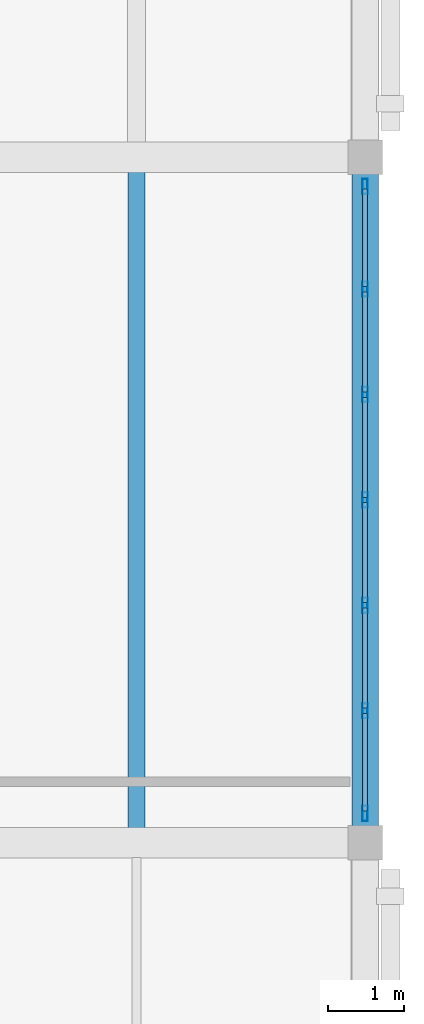
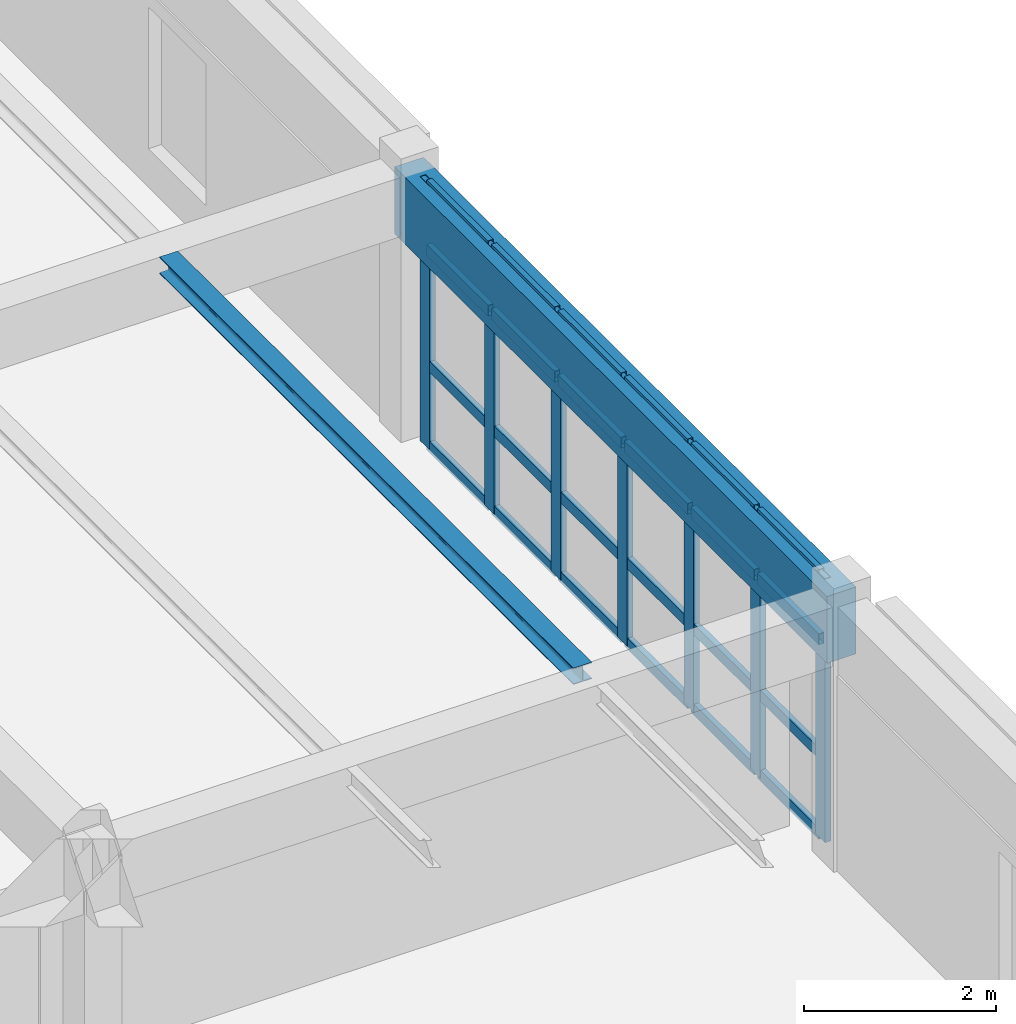
# One storey, part 45 of 80: 31 members, 2 beams, 1 element without a shape of its own.
"""IFC4 building model written with IfcOpenShell, lengths in metres."""

from ifc_helpers import new_model, si_unit, direction, frame, origin, origin_2d, place, context, subcontext, project, spatial, rectangle, hollow_rectangle, i_section, extrude, material, layer, layer_set, material_profile, profile_set, type_object, element, aggregate, save


model = new_model("IFC4")

# Units and contexts
model_context = context("Model", 3, precision=1e-05, world=origin(), true_north=direction((0.0, 1.0)))
body_context = subcontext(model_context, "Body", "Model", "MODEL_VIEW")
ifc_project = project(units=[si_unit("LENGTHUNIT", "METRE"), si_unit("AREAUNIT", "SQUARE_METRE"), si_unit("VOLUMEUNIT", "CUBIC_METRE"), si_unit("PLANEANGLEUNIT", "RADIAN"), si_unit("MASSUNIT", "GRAM", prefix="KILO")], contexts=[model_context])

# Site, building, storey
site_placement = place(None, origin())
site = spatial("IfcSite", under=ifc_project, at=site_placement, CompositionType="ELEMENT")
building_placement = place(site_placement, origin())
building = spatial("IfcBuilding", under=site, at=building_placement, Name="Ornek Quay Market", CompositionType="ELEMENT")
storey_placement = place(building_placement, frame((0.0, 0.0, 8.39990234375)))
storey = spatial("IfcBuildingStorey", under=building, at=storey_placement, Name="L02", CompositionType="ELEMENT", Elevation=8.39990234375)

# Beams
ifc_material_1 = material(Name="Concrete C40/50", Category="concrete")
ifc_material_profile_1 = material_profile(ifc_material_1, rectangle(XDim=0.35009765625, YDim=0.85009765625, at=origin_2d()), Name="RC 350x850", Category="concrete")
ifc_profile_set_1 = profile_set([ifc_material_profile_1], Name="Concrete C40/50")
beam_type_1 = type_object("IfcBeamType", Name="BM-SPN-350x850", PredefinedType="SPANDREL", material=ifc_profile_set_1)
beam_1_placement = place(storey_placement, frame((180.0, 47.0, 2.925048828125), z_axis=(0.0, 1.0, 0.0), x_axis=(-1.0, 0.0, 0.0)))
element("IfcBeam", 1, at=beam_1_placement, inside=storey, type_object=beam_type_1, Name="Primary beam B-SP1-159", PredefinedType="SPANDREL", context=body_context, shape_type="SweptSolid", body=[
    extrude(rectangle(XDim=0.35009765625, YDim=0.85009765625, at=origin_2d()), origin(), (0.0, 0.0, 1.0), 9.0),
])
ifc_material_2 = material(Name="Steel S355", Category="steel")
ifc_material_profile_2 = material_profile(ifc_material_2, i_section(OverallWidth=0.219970703125, OverallDepth=0.2099609375, WebThickness=0.007080078125, FlangeThickness=0.010986328125, FilletRadius=0.01806640625, at=origin_2d()), Name="HEA 220", Category="steel")
ifc_profile_set_2 = profile_set([ifc_material_profile_2], Name="Steel S355")
beam_type_2 = type_object("IfcBeamType", Name="BM-STL-HEA220", PredefinedType="BEAM", material=ifc_profile_set_2)
beam_2_placement = place(storey_placement, frame((177.0, 47.19189453125, 3.2451171875), z_axis=(0.0, 1.0, 0.0), x_axis=(-1.0, 0.0, 0.0)))
element("IfcBeam", 2, at=beam_2_placement, inside=storey, type_object=beam_type_2, Name="Secondary joist SB-13-038", PredefinedType="BEAM", context=body_context, shape_type="SweptSolid", body=[
    extrude(i_section(OverallWidth=0.219970703125, OverallDepth=0.2099609375, WebThickness=0.007080078125, FlangeThickness=0.010986328125, FilletRadius=0.01806640625, at=origin_2d()), origin(), (0.0, 0.0, 1.0), 8.6162109375),
])

# Curtain wall, members
ifc_material_3 = material(Name="Anodised bronze aluminium and triple low-e glass", Category="aluminium")
ifc_layer = layer(ifc_material_3, 0.18994140625, Name="Anodised bronze aluminium and triple low-e glass", Category="aluminium")
ifc_layer_set = layer_set([ifc_layer], Name="Anodised bronze aluminium and triple low-e glass")
curtain_wall_type = type_object("IfcCurtainWallType", Name="CW-FC-MOD1500", PredefinedType="USERDEFINED", material=ifc_layer_set)
curtain_wall_placement = place(storey_placement, origin())
curtain_wall = element("IfcCurtainWall", 3, at=curtain_wall_placement, inside=storey, type_object=curtain_wall_type, Name="Curtain wall CW-094", ObjectType="CURTAIN WALL", PredefinedType="USERDEFINED")
ifc_material_4 = material(Name="Anodised aluminium 6063-T6", Category="aluminium")
ifc_material_profile_3 = material_profile(ifc_material_4, hollow_rectangle(XDim=0.070068359375, YDim=0.199951171875, WallThickness=0.0048828125, at=origin_2d()), Name="CW-MUL-70x200", Category="aluminium")
ifc_profile_set_3 = profile_set([ifc_material_profile_3], Name="Anodised aluminium 6063-T6")
member_type_1 = type_object("IfcMemberType", Name="CW-MUL-70x200", PredefinedType="MULLION", material=ifc_profile_set_3)
member_1_placement = place(storey_placement, frame((180.0, 47.385009765625, 0.0), z_axis=(0.0, 0.0, 1.0), x_axis=(-1.0, 0.0, 0.0)))
member_1 = element("IfcMember", 4, at=member_1_placement, type_object=member_type_1, Name="CW-094 mullion 1", PredefinedType="MULLION", context=body_context, shape_type="SweptSolid", body=[
    extrude(hollow_rectangle(XDim=0.070068359375, YDim=0.199951171875, WallThickness=0.0048828125, at=origin_2d()), origin(), (0.0, 0.0, 1.0), 3.35009765625),
])
member_2_placement = place(storey_placement, frame((180.0, 48.7333984375, 0.0), z_axis=(0.0, 0.0, 1.0), x_axis=(-1.0, 0.0, 0.0)))
member_2 = element("IfcMember", 5, at=member_2_placement, type_object=member_type_1, Name="CW-094 mullion 2", PredefinedType="MULLION", context=body_context, shape_type="SweptSolid", body=[
    extrude(hollow_rectangle(XDim=0.070068359375, YDim=0.199951171875, WallThickness=0.0048828125, at=origin_2d()), origin(), (0.0, 0.0, 1.0), 3.35009765625),
])
member_3_placement = place(storey_placement, frame((180.0, 50.11669921875, 0.0), z_axis=(0.0, 0.0, 1.0), x_axis=(-1.0, 0.0, 0.0)))
member_3 = element("IfcMember", 6, at=member_3_placement, type_object=member_type_1, Name="CW-094 mullion 3", PredefinedType="MULLION", context=body_context, shape_type="SweptSolid", body=[
    extrude(hollow_rectangle(XDim=0.070068359375, YDim=0.199951171875, WallThickness=0.0048828125, at=origin_2d()), origin(), (0.0, 0.0, 1.0), 3.35009765625),
])
member_4_placement = place(storey_placement, frame((180.0, 51.5, 0.0), z_axis=(0.0, 0.0, 1.0), x_axis=(-1.0, 0.0, 0.0)))
member_4 = element("IfcMember", 7, at=member_4_placement, type_object=member_type_1, Name="CW-094 mullion 4", PredefinedType="MULLION", context=body_context, shape_type="SweptSolid", body=[
    extrude(hollow_rectangle(XDim=0.070068359375, YDim=0.199951171875, WallThickness=0.0048828125, at=origin_2d()), origin(), (0.0, 0.0, 1.0), 3.35009765625),
])
member_5_placement = place(storey_placement, frame((180.0, 52.88330078125, 0.0), z_axis=(0.0, 0.0, 1.0), x_axis=(-1.0, 0.0, 0.0)))
member_5 = element("IfcMember", 8, at=member_5_placement, type_object=member_type_1, Name="CW-094 mullion 5", PredefinedType="MULLION", context=body_context, shape_type="SweptSolid", body=[
    extrude(hollow_rectangle(XDim=0.070068359375, YDim=0.199951171875, WallThickness=0.0048828125, at=origin_2d()), origin(), (0.0, 0.0, 1.0), 3.35009765625),
])
member_6_placement = place(storey_placement, frame((180.0, 54.2666015625, 0.0), z_axis=(0.0, 0.0, 1.0), x_axis=(-1.0, 0.0, 0.0)))
member_6 = element("IfcMember", 9, at=member_6_placement, type_object=member_type_1, Name="CW-094 mullion 6", PredefinedType="MULLION", context=body_context, shape_type="SweptSolid", body=[
    extrude(hollow_rectangle(XDim=0.070068359375, YDim=0.199951171875, WallThickness=0.0048828125, at=origin_2d()), origin(), (0.0, 0.0, 1.0), 3.35009765625),
])
member_7_placement = place(storey_placement, frame((180.0, 55.614990234375, 0.0), z_axis=(0.0, 0.0, 1.0), x_axis=(-1.0, 0.0, 0.0)))
member_7 = element("IfcMember", 10, at=member_7_placement, type_object=member_type_1, Name="CW-094 mullion 7", PredefinedType="MULLION", context=body_context, shape_type="SweptSolid", body=[
    extrude(hollow_rectangle(XDim=0.070068359375, YDim=0.199951171875, WallThickness=0.0048828125, at=origin_2d()), origin(), (0.0, 0.0, 1.0), 3.35009765625),
])
ifc_material_profile_4 = material_profile(ifc_material_4, hollow_rectangle(XDim=0.06494140625, YDim=0.139892578125, WallThickness=0.00439453125, at=origin_2d()), Name="CW-TRN-65x140", Category="aluminium")
ifc_profile_set_4 = profile_set([ifc_material_profile_4], Name="Anodised aluminium 6063-T6")
member_type_2 = type_object("IfcMemberType", Name="CW-TRN-65x140", PredefinedType="USERDEFINED", material=ifc_profile_set_4)
member_8_placement = place(storey_placement, frame((180.0, 47.419921875, 0.03271484375), z_axis=(0.0, 1.0, 0.0), x_axis=(-1.0, 0.0, 0.0)))
member_8 = element("IfcMember", 11, at=member_8_placement, type_object=member_type_2, Name="CW-094 transom 1.1", ObjectType="TRANSOM", PredefinedType="USERDEFINED", context=body_context, shape_type="SweptSolid", body=[
    extrude(hollow_rectangle(XDim=0.06494140625, YDim=0.139892578125, WallThickness=0.00439453125, at=origin_2d()), origin(), (0.0, 0.0, 1.0), 1.2783203125),
])
member_9_placement = place(storey_placement, frame((180.0, 47.419921875, 1.050048828125), z_axis=(0.0, 1.0, 0.0), x_axis=(-1.0, 0.0, 0.0)))
member_9 = element("IfcMember", 12, at=member_9_placement, type_object=member_type_2, Name="CW-094 transom 1.2", ObjectType="TRANSOM", PredefinedType="USERDEFINED", context=body_context, shape_type="SweptSolid", body=[
    extrude(hollow_rectangle(XDim=0.06494140625, YDim=0.139892578125, WallThickness=0.00439453125, at=origin_2d()), origin(), (0.0, 0.0, 1.0), 1.2783203125),
])
member_10_placement = place(storey_placement, frame((180.0, 47.419921875, 2.5), z_axis=(0.0, 1.0, 0.0), x_axis=(-1.0, 0.0, 0.0)))
member_10 = element("IfcMember", 13, at=member_10_placement, type_object=member_type_2, Name="CW-094 transom 1.3", ObjectType="TRANSOM", PredefinedType="USERDEFINED", context=body_context, shape_type="SweptSolid", body=[
    extrude(hollow_rectangle(XDim=0.06494140625, YDim=0.139892578125, WallThickness=0.00439453125, at=origin_2d()), origin(), (0.0, 0.0, 1.0), 1.2783203125),
])
member_11_placement = place(storey_placement, frame((180.0, 47.419921875, 3.317626953125), z_axis=(0.0, 1.0, 0.0), x_axis=(-1.0, 0.0, 0.0)))
member_11 = element("IfcMember", 14, at=member_11_placement, type_object=member_type_2, Name="CW-094 transom 1.4", ObjectType="TRANSOM", PredefinedType="USERDEFINED", context=body_context, shape_type="SweptSolid", body=[
    extrude(hollow_rectangle(XDim=0.06494140625, YDim=0.139892578125, WallThickness=0.00439453125, at=origin_2d()), origin(), (0.0, 0.0, 1.0), 1.2783203125),
])
member_12_placement = place(storey_placement, frame((180.0, 48.768310546875, 0.03271484375), z_axis=(0.0, 1.0, 0.0), x_axis=(-1.0, 0.0, 0.0)))
member_12 = element("IfcMember", 15, at=member_12_placement, type_object=member_type_2, Name="CW-094 transom 2.1", ObjectType="TRANSOM", PredefinedType="USERDEFINED", context=body_context, shape_type="SweptSolid", body=[
    extrude(hollow_rectangle(XDim=0.06494140625, YDim=0.139892578125, WallThickness=0.00439453125, at=origin_2d()), origin(), (0.0, 0.0, 1.0), 1.3134765625),
])
member_13_placement = place(storey_placement, frame((180.0, 48.768310546875, 1.050048828125), z_axis=(0.0, 1.0, 0.0), x_axis=(-1.0, 0.0, 0.0)))
member_13 = element("IfcMember", 16, at=member_13_placement, type_object=member_type_2, Name="CW-094 transom 2.2", ObjectType="TRANSOM", PredefinedType="USERDEFINED", context=body_context, shape_type="SweptSolid", body=[
    extrude(hollow_rectangle(XDim=0.06494140625, YDim=0.139892578125, WallThickness=0.00439453125, at=origin_2d()), origin(), (0.0, 0.0, 1.0), 1.3134765625),
])
member_14_placement = place(storey_placement, frame((180.0, 48.768310546875, 2.5), z_axis=(0.0, 1.0, 0.0), x_axis=(-1.0, 0.0, 0.0)))
member_14 = element("IfcMember", 17, at=member_14_placement, type_object=member_type_2, Name="CW-094 transom 2.3", ObjectType="TRANSOM", PredefinedType="USERDEFINED", context=body_context, shape_type="SweptSolid", body=[
    extrude(hollow_rectangle(XDim=0.06494140625, YDim=0.139892578125, WallThickness=0.00439453125, at=origin_2d()), origin(), (0.0, 0.0, 1.0), 1.3134765625),
])
member_15_placement = place(storey_placement, frame((180.0, 48.768310546875, 3.317626953125), z_axis=(0.0, 1.0, 0.0), x_axis=(-1.0, 0.0, 0.0)))
member_15 = element("IfcMember", 18, at=member_15_placement, type_object=member_type_2, Name="CW-094 transom 2.4", ObjectType="TRANSOM", PredefinedType="USERDEFINED", context=body_context, shape_type="SweptSolid", body=[
    extrude(hollow_rectangle(XDim=0.06494140625, YDim=0.139892578125, WallThickness=0.00439453125, at=origin_2d()), origin(), (0.0, 0.0, 1.0), 1.3134765625),
])
member_16_placement = place(storey_placement, frame((180.0, 50.151611328125, 0.03271484375), z_axis=(0.0, 1.0, 0.0), x_axis=(-1.0, 0.0, 0.0)))
member_16 = element("IfcMember", 19, at=member_16_placement, type_object=member_type_2, Name="CW-094 transom 3.1", ObjectType="TRANSOM", PredefinedType="USERDEFINED", context=body_context, shape_type="SweptSolid", body=[
    extrude(hollow_rectangle(XDim=0.06494140625, YDim=0.139892578125, WallThickness=0.00439453125, at=origin_2d()), origin(), (0.0, 0.0, 1.0), 1.3134765625),
])
member_17_placement = place(storey_placement, frame((180.0, 50.151611328125, 1.050048828125), z_axis=(0.0, 1.0, 0.0), x_axis=(-1.0, 0.0, 0.0)))
member_17 = element("IfcMember", 20, at=member_17_placement, type_object=member_type_2, Name="CW-094 transom 3.2", ObjectType="TRANSOM", PredefinedType="USERDEFINED", context=body_context, shape_type="SweptSolid", body=[
    extrude(hollow_rectangle(XDim=0.06494140625, YDim=0.139892578125, WallThickness=0.00439453125, at=origin_2d()), origin(), (0.0, 0.0, 1.0), 1.3134765625),
])
member_18_placement = place(storey_placement, frame((180.0, 50.151611328125, 2.5), z_axis=(0.0, 1.0, 0.0), x_axis=(-1.0, 0.0, 0.0)))
member_18 = element("IfcMember", 21, at=member_18_placement, type_object=member_type_2, Name="CW-094 transom 3.3", ObjectType="TRANSOM", PredefinedType="USERDEFINED", context=body_context, shape_type="SweptSolid", body=[
    extrude(hollow_rectangle(XDim=0.06494140625, YDim=0.139892578125, WallThickness=0.00439453125, at=origin_2d()), origin(), (0.0, 0.0, 1.0), 1.3134765625),
])
member_19_placement = place(storey_placement, frame((180.0, 50.151611328125, 3.317626953125), z_axis=(0.0, 1.0, 0.0), x_axis=(-1.0, 0.0, 0.0)))
member_19 = element("IfcMember", 22, at=member_19_placement, type_object=member_type_2, Name="CW-094 transom 3.4", ObjectType="TRANSOM", PredefinedType="USERDEFINED", context=body_context, shape_type="SweptSolid", body=[
    extrude(hollow_rectangle(XDim=0.06494140625, YDim=0.139892578125, WallThickness=0.00439453125, at=origin_2d()), origin(), (0.0, 0.0, 1.0), 1.3134765625),
])
member_20_placement = place(storey_placement, frame((180.0, 51.534912109375, 0.03271484375), z_axis=(0.0, 1.0, 0.0), x_axis=(-1.0, 0.0, 0.0)))
member_20 = element("IfcMember", 23, at=member_20_placement, type_object=member_type_2, Name="CW-094 transom 4.1", ObjectType="TRANSOM", PredefinedType="USERDEFINED", context=body_context, shape_type="SweptSolid", body=[
    extrude(hollow_rectangle(XDim=0.06494140625, YDim=0.139892578125, WallThickness=0.00439453125, at=origin_2d()), origin(), (0.0, 0.0, 1.0), 1.3134765625),
])
member_21_placement = place(storey_placement, frame((180.0, 51.534912109375, 1.050048828125), z_axis=(0.0, 1.0, 0.0), x_axis=(-1.0, 0.0, 0.0)))
member_21 = element("IfcMember", 24, at=member_21_placement, type_object=member_type_2, Name="CW-094 transom 4.2", ObjectType="TRANSOM", PredefinedType="USERDEFINED", context=body_context, shape_type="SweptSolid", body=[
    extrude(hollow_rectangle(XDim=0.06494140625, YDim=0.139892578125, WallThickness=0.00439453125, at=origin_2d()), origin(), (0.0, 0.0, 1.0), 1.3134765625),
])
member_22_placement = place(storey_placement, frame((180.0, 51.534912109375, 2.5), z_axis=(0.0, 1.0, 0.0), x_axis=(-1.0, 0.0, 0.0)))
member_22 = element("IfcMember", 25, at=member_22_placement, type_object=member_type_2, Name="CW-094 transom 4.3", ObjectType="TRANSOM", PredefinedType="USERDEFINED", context=body_context, shape_type="SweptSolid", body=[
    extrude(hollow_rectangle(XDim=0.06494140625, YDim=0.139892578125, WallThickness=0.00439453125, at=origin_2d()), origin(), (0.0, 0.0, 1.0), 1.3134765625),
])
member_23_placement = place(storey_placement, frame((180.0, 51.534912109375, 3.317626953125), z_axis=(0.0, 1.0, 0.0), x_axis=(-1.0, 0.0, 0.0)))
member_23 = element("IfcMember", 26, at=member_23_placement, type_object=member_type_2, Name="CW-094 transom 4.4", ObjectType="TRANSOM", PredefinedType="USERDEFINED", context=body_context, shape_type="SweptSolid", body=[
    extrude(hollow_rectangle(XDim=0.06494140625, YDim=0.139892578125, WallThickness=0.00439453125, at=origin_2d()), origin(), (0.0, 0.0, 1.0), 1.3134765625),
])
member_24_placement = place(storey_placement, frame((180.0, 52.918212890625, 0.03271484375), z_axis=(0.0, 1.0, 0.0), x_axis=(-1.0, 0.0, 0.0)))
member_24 = element("IfcMember", 27, at=member_24_placement, type_object=member_type_2, Name="CW-094 transom 5.1", ObjectType="TRANSOM", PredefinedType="USERDEFINED", context=body_context, shape_type="SweptSolid", body=[
    extrude(hollow_rectangle(XDim=0.06494140625, YDim=0.139892578125, WallThickness=0.00439453125, at=origin_2d()), origin(), (0.0, 0.0, 1.0), 1.3134765625),
])
member_25_placement = place(storey_placement, frame((180.0, 52.918212890625, 1.050048828125), z_axis=(0.0, 1.0, 0.0), x_axis=(-1.0, 0.0, 0.0)))
member_25 = element("IfcMember", 28, at=member_25_placement, type_object=member_type_2, Name="CW-094 transom 5.2", ObjectType="TRANSOM", PredefinedType="USERDEFINED", context=body_context, shape_type="SweptSolid", body=[
    extrude(hollow_rectangle(XDim=0.06494140625, YDim=0.139892578125, WallThickness=0.00439453125, at=origin_2d()), origin(), (0.0, 0.0, 1.0), 1.3134765625),
])
member_26_placement = place(storey_placement, frame((180.0, 52.918212890625, 2.5), z_axis=(0.0, 1.0, 0.0), x_axis=(-1.0, 0.0, 0.0)))
member_26 = element("IfcMember", 29, at=member_26_placement, type_object=member_type_2, Name="CW-094 transom 5.3", ObjectType="TRANSOM", PredefinedType="USERDEFINED", context=body_context, shape_type="SweptSolid", body=[
    extrude(hollow_rectangle(XDim=0.06494140625, YDim=0.139892578125, WallThickness=0.00439453125, at=origin_2d()), origin(), (0.0, 0.0, 1.0), 1.3134765625),
])
member_27_placement = place(storey_placement, frame((180.0, 52.918212890625, 3.317626953125), z_axis=(0.0, 1.0, 0.0), x_axis=(-1.0, 0.0, 0.0)))
member_27 = element("IfcMember", 30, at=member_27_placement, type_object=member_type_2, Name="CW-094 transom 5.4", ObjectType="TRANSOM", PredefinedType="USERDEFINED", context=body_context, shape_type="SweptSolid", body=[
    extrude(hollow_rectangle(XDim=0.06494140625, YDim=0.139892578125, WallThickness=0.00439453125, at=origin_2d()), origin(), (0.0, 0.0, 1.0), 1.3134765625),
])
member_28_placement = place(storey_placement, frame((180.0, 54.3017578125, 0.03271484375), z_axis=(0.0, 1.0, 0.0), x_axis=(-1.0, 0.0, 0.0)))
member_28 = element("IfcMember", 31, at=member_28_placement, type_object=member_type_2, Name="CW-094 transom 6.1", ObjectType="TRANSOM", PredefinedType="USERDEFINED", context=body_context, shape_type="SweptSolid", body=[
    extrude(hollow_rectangle(XDim=0.06494140625, YDim=0.139892578125, WallThickness=0.00439453125, at=origin_2d()), origin(), (0.0, 0.0, 1.0), 1.2783203125),
])
member_29_placement = place(storey_placement, frame((180.0, 54.3017578125, 1.050048828125), z_axis=(0.0, 1.0, 0.0), x_axis=(-1.0, 0.0, 0.0)))
member_29 = element("IfcMember", 32, at=member_29_placement, type_object=member_type_2, Name="CW-094 transom 6.2", ObjectType="TRANSOM", PredefinedType="USERDEFINED", context=body_context, shape_type="SweptSolid", body=[
    extrude(hollow_rectangle(XDim=0.06494140625, YDim=0.139892578125, WallThickness=0.00439453125, at=origin_2d()), origin(), (0.0, 0.0, 1.0), 1.2783203125),
])
member_30_placement = place(storey_placement, frame((180.0, 54.3017578125, 2.5), z_axis=(0.0, 1.0, 0.0), x_axis=(-1.0, 0.0, 0.0)))
member_30 = element("IfcMember", 33, at=member_30_placement, type_object=member_type_2, Name="CW-094 transom 6.3", ObjectType="TRANSOM", PredefinedType="USERDEFINED", context=body_context, shape_type="SweptSolid", body=[
    extrude(hollow_rectangle(XDim=0.06494140625, YDim=0.139892578125, WallThickness=0.00439453125, at=origin_2d()), origin(), (0.0, 0.0, 1.0), 1.2783203125),
])
member_31_placement = place(storey_placement, frame((180.0, 54.3017578125, 3.317626953125), z_axis=(0.0, 1.0, 0.0), x_axis=(-1.0, 0.0, 0.0)))
member_31 = element("IfcMember", 34, at=member_31_placement, type_object=member_type_2, Name="CW-094 transom 6.4", ObjectType="TRANSOM", PredefinedType="USERDEFINED", context=body_context, shape_type="SweptSolid", body=[
    extrude(hollow_rectangle(XDim=0.06494140625, YDim=0.139892578125, WallThickness=0.00439453125, at=origin_2d()), origin(), (0.0, 0.0, 1.0), 1.2783203125),
])
aggregate(curtain_wall, [member_1, member_2, member_3, member_4, member_5, member_6, member_7, member_8, member_9, member_10, member_11, member_12, member_13, member_14, member_15, member_16, member_17, member_18, member_19, member_20, member_21, member_22, member_23, member_24, member_25, member_26, member_27, member_28, member_29, member_30, member_31])

save(model, "model.ifc")
